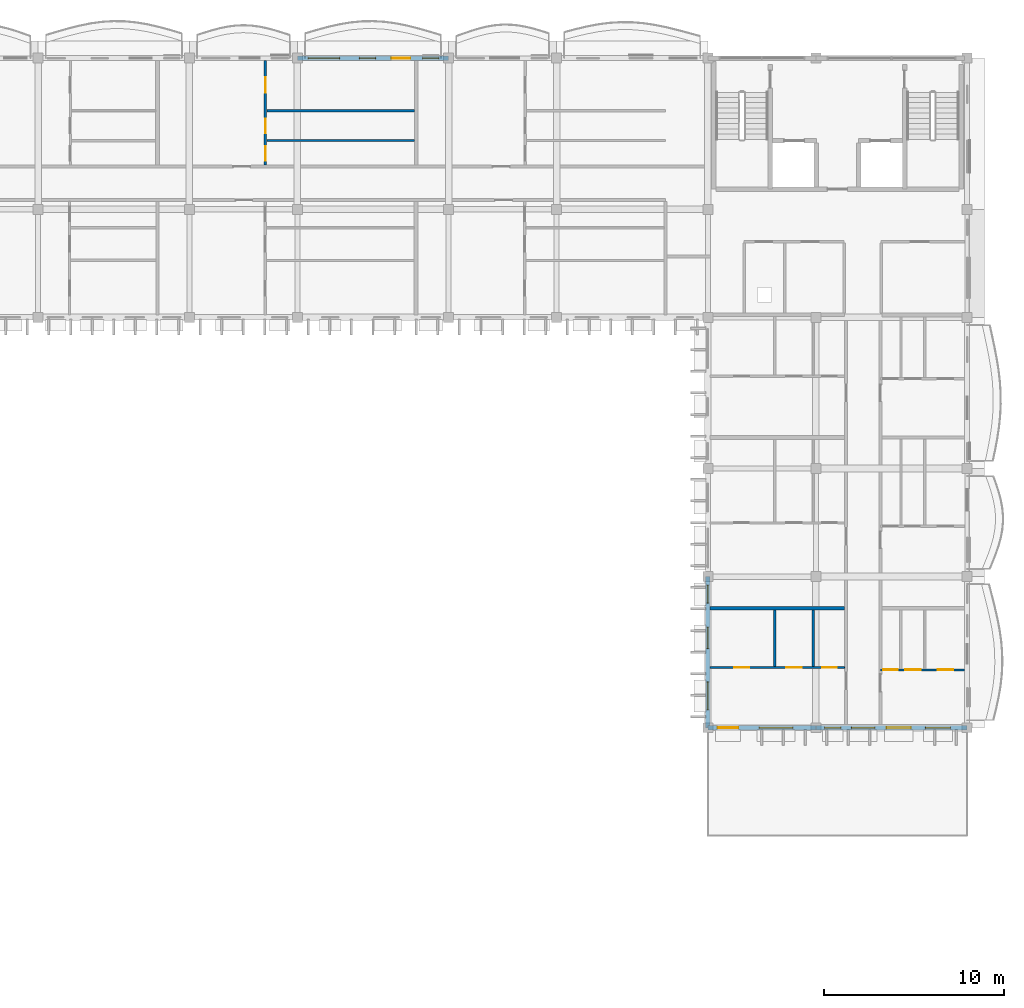
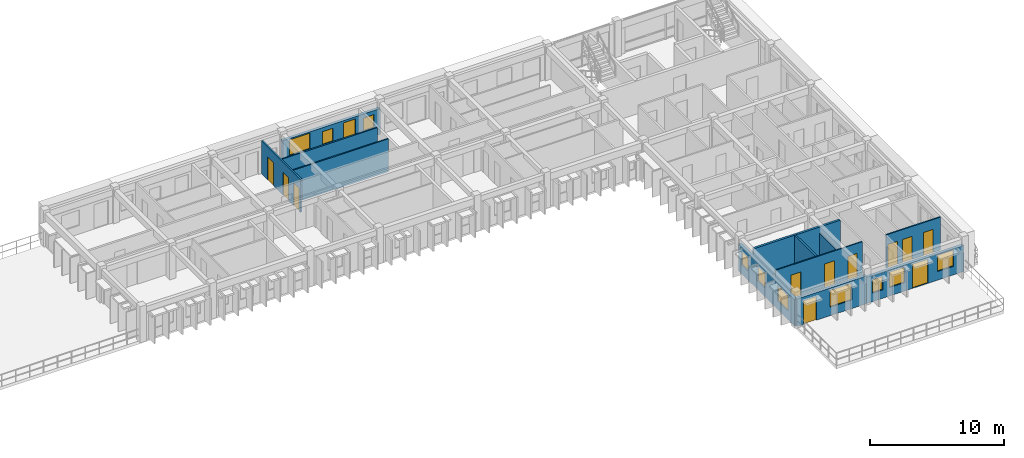
# One storey, part 23 of 45: 12 doors, 12 walls, 10 windows, 22 openings.
"""IFC4 building model written with IfcOpenShell, lengths in metres."""

from ifc_helpers import new_model, si_unit, direction, frame, frame_2d, origin, place, context, subcontext, project, spatial, rectangle, extrude, material, layer, layer_set, type_object, element, fill, save


model = new_model("IFC4")

# Units and contexts
model_context = context("Model", 3, precision=1e-05, world=origin(), true_north=direction((0.0, 1.0)))
body_context = subcontext(model_context, "Body", "Model", "MODEL_VIEW")
ifc_project = project(units=[si_unit("LENGTHUNIT", "METRE"), si_unit("AREAUNIT", "SQUARE_METRE"), si_unit("VOLUMEUNIT", "CUBIC_METRE"), si_unit("PLANEANGLEUNIT", "RADIAN"), si_unit("MASSUNIT", "GRAM", prefix="KILO"), si_unit("THERMODYNAMICTEMPERATUREUNIT", "KELVIN")], contexts=[model_context])

# Site, building, storey
site_placement = place(None, origin())
site = spatial("IfcSite", under=ifc_project, at=site_placement, CompositionType="ELEMENT")
building_placement = place(site_placement, origin())
building = spatial("IfcBuilding", under=site, at=building_placement, Name="Thalorik Housing Commons", CompositionType="ELEMENT")
storey_placement = place(building_placement, frame((0.0, 0.0, 34.5)))
storey = spatial("IfcBuildingStorey", under=building, at=storey_placement, Name="L10", CompositionType="ELEMENT", Elevation=34.5)

# Wall, openings, door, windows
ifc_material_1 = material(Name="White precast concrete C40/50", Category="concrete")
ifc_layer_1 = layer(ifc_material_1, 0.2548828125, Name="White precast concrete C40/50", Category="concrete")
ifc_layer_set_1 = layer_set([ifc_layer_1], Name="White precast concrete C40/50")
wall_type_1 = type_object("IfcWallType", Name="ARC-WAL-EXT-255", PredefinedType="STANDARD", material=ifc_layer_set_1)
wall_1_placement = place(storey_placement, frame((138.0, 123.60009765625, 0.0), z_axis=(0.0, 0.0, 1.0), x_axis=(-1.0, 0.0, 0.0)))
wall_1 = element("IfcWall", 1, at=wall_1_placement, inside=storey, type_object=wall_type_1, Name="L10 Exterior Wall WAL-EXT-L10-B-0749", PredefinedType="STANDARD", context=body_context, shape_type="SweptSolid", body=[
    extrude(rectangle(XDim=8.39990234375, YDim=0.2548828125, at=frame_2d((4.199951171875, 0.0))), origin(), (0.0, 0.0, 1.0), 2.344970703125),
])
opening_1_placement = place(wall_1_placement, frame((2.1298828125, 0.0, 0.0)))
opening_1 = element("IfcOpeningElement", 2, at=opening_1_placement, cuts=wall_1, Name="Opening ED-0252", PredefinedType="OPENING", context=body_context, shape_type="SweptSolid", body=[
    extrude(rectangle(XDim=1.050048828125, YDim=2.14990234375, at=frame_2d((0.52490234375, 1.074951171875))), frame((0.0, 0.137451171875, 0.0), z_axis=(0.0, -1.0, 0.0), x_axis=(1.0, 0.0, 0.0)), (0.0, 0.0, 1.0), 0.27490234375),
])
opening_2_placement = place(wall_1_placement, frame((0.544921875, 0.0, 0.780029296875)))
opening_2 = element("IfcOpeningElement", 3, at=opening_2_placement, cuts=wall_1, Name="Opening W-01", PredefinedType="OPENING", context=body_context, shape_type="SweptSolid", body=[
    extrude(rectangle(XDim=0.89990234375, YDim=1.199951171875, at=frame_2d((0.449951171875, 0.60009765625))), frame((0.0, 0.137451171875, 0.0), z_axis=(0.0, -1.0, 0.0), x_axis=(1.0, 0.0, 0.0)), (0.0, 0.0, 1.0), 0.27490234375),
])
opening_3_placement = place(wall_1_placement, frame((4.06005859375, 0.0, 0.780029296875)))
opening_3 = element("IfcOpeningElement", 4, at=opening_3_placement, cuts=wall_1, Name="Opening W-01", PredefinedType="OPENING", context=body_context, shape_type="SweptSolid", body=[
    extrude(rectangle(XDim=0.89990234375, YDim=1.199951171875, at=frame_2d((0.449951171875, 0.60009765625))), frame((0.0, 0.137451171875, 0.0), z_axis=(0.0, -1.0, 0.0), x_axis=(1.0, 0.0, 0.0)), (0.0, 0.0, 1.0), 0.27490234375),
])
opening_4_placement = place(wall_1_placement, frame((6.054931640625, 0.0, 0.780029296875)))
opening_4 = element("IfcOpeningElement", 5, at=opening_4_placement, cuts=wall_1, Name="Opening W-17", PredefinedType="OPENING", context=body_context, shape_type="SweptSolid", body=[
    extrude(rectangle(XDim=1.75, YDim=1.449951171875, at=frame_2d((0.875, 0.72509765625))), frame((0.0, 0.137451171875, 0.0), z_axis=(0.0, -1.0, 0.0), x_axis=(1.0, 0.0, 0.0)), (0.0, 0.0, 1.0), 0.27490234375),
])
ifc_material_2 = material(Name="Anodised aluminium and laminated safety glass", Category="aluminium")
door_type_1 = type_object("IfcDoorType", Name="ARC-DR-BAL-1050", OperationType="NOTDEFINED", PredefinedType="DOOR", material=ifc_material_2)
door_1_placement = place(opening_1_placement, frame((1.050048828125, 0.0, 0.0), z_axis=(0.0, 0.0, 1.0), x_axis=(-1.0, 0.0, 0.0)))
door_1 = element("IfcDoor", 6, at=door_1_placement, inside=storey, type_object=door_type_1, Name="L10 Block B Balcony Glazed Door", OperationType="SINGLE_SWING_LEFT", OverallHeight=2.14990234375, OverallWidth=1.050048828125, PredefinedType="DOOR", context=body_context, shape_type="SweptSolid", body=[
    extrude(rectangle(XDim=1.050048828125, YDim=2.14990234375, at=frame_2d((0.52490234375, 1.074951171875))), frame((0.0, 0.02490234375, 0.0), z_axis=(0.0, -1.0, 0.0), x_axis=(1.0, 0.0, 0.0)), (0.0, 0.0, 1.0), 0.050048828125),
])
fill(opening_1, door_1)
ifc_material_3 = material(Name="Anodised aluminium and solar-control low-E glass", Category="aluminium")
window_type_1 = type_object("IfcWindowType", Name="ARC-WIN-01", PartitioningType="SINGLE_PANEL", PredefinedType="WINDOW", material=ifc_material_3)
window_1_placement = place(opening_2_placement, origin())
window_1 = element("IfcWindow", 7, at=window_1_placement, inside=storey, type_object=window_type_1, Name="L10 Facade Window 1373", OverallHeight=1.199951171875, OverallWidth=0.89990234375, PartitioningType="SINGLE_PANEL", PredefinedType="WINDOW", context=body_context, shape_type="SweptSolid", body=[
    extrude(rectangle(XDim=0.89990234375, YDim=1.199951171875, at=frame_2d((0.449951171875, 0.60009765625))), frame((0.0, 0.030029296875, 0.0), z_axis=(0.0, -1.0, 0.0), x_axis=(1.0, 0.0, 0.0)), (0.0, 0.0, 1.0), 0.06005859375),
])
fill(opening_2, window_1)
window_2_placement = place(opening_3_placement, origin())
window_2 = element("IfcWindow", 8, at=window_2_placement, inside=storey, type_object=window_type_1, Name="L10 Facade Window 1374", OverallHeight=1.199951171875, OverallWidth=0.89990234375, PartitioningType="SINGLE_PANEL", PredefinedType="WINDOW", context=body_context, shape_type="SweptSolid", body=[
    extrude(rectangle(XDim=0.89990234375, YDim=1.199951171875, at=frame_2d((0.449951171875, 0.60009765625))), frame((0.0, 0.030029296875, 0.0), z_axis=(0.0, -1.0, 0.0), x_axis=(1.0, 0.0, 0.0)), (0.0, 0.0, 1.0), 0.06005859375),
])
fill(opening_3, window_2)
window_type_2 = type_object("IfcWindowType", Name="ARC-WIN-17", PartitioningType="DOUBLE_PANEL_VERTICAL", PredefinedType="WINDOW", material=ifc_material_3)
window_3_placement = place(opening_4_placement, origin())
window_3 = element("IfcWindow", 9, at=window_3_placement, inside=storey, type_object=window_type_2, Name="L10 Facade Window 1375", OverallHeight=1.449951171875, OverallWidth=1.75, PartitioningType="DOUBLE_PANEL_VERTICAL", PredefinedType="WINDOW", context=body_context, shape_type="SweptSolid", body=[
    extrude(rectangle(XDim=1.75, YDim=1.449951171875, at=frame_2d((0.875, 0.72509765625))), frame((0.0, 0.030029296875, 0.0), z_axis=(0.0, -1.0, 0.0), x_axis=(1.0, 0.0, 0.0)), (0.0, 0.0, 1.0), 0.06005859375),
])
fill(opening_4, window_3)

# Wall, openings, windows
wall_2_placement = place(storey_placement, frame((152.39990234375, 94.800048828125, 0.0), z_axis=(0.0, 0.0, 1.0), x_axis=(0.0, -1.0, 0.0)))
wall_2 = element("IfcWall", 10, at=wall_2_placement, inside=storey, type_object=wall_type_1, Name="L10 Exterior Wall WAL-EXT-L10-B-0763", PredefinedType="STANDARD", context=body_context, shape_type="SweptSolid", body=[
    extrude(rectangle(XDim=8.400146484375, YDim=0.2548828125, at=frame_2d((4.2001953125, 0.0))), origin(), (0.0, 0.0, 1.0), 2.425048828125),
])
opening_5_placement = place(wall_2_placement, frame((0.47509765625, 0.0, 0.780029296875)))
opening_5 = element("IfcOpeningElement", 11, at=opening_5_placement, cuts=wall_2, Name="Opening W-02", PredefinedType="OPENING", context=body_context, shape_type="SweptSolid", body=[
    extrude(rectangle(XDim=1.0, YDim=1.25, at=frame_2d((0.5, 0.625))), frame((0.0, 0.137451171875, 0.0), z_axis=(0.0, -1.0, 0.0), x_axis=(1.0, 0.0, 0.0)), (0.0, 0.0, 1.0), 0.27490234375),
])
opening_6_placement = place(wall_2_placement, frame((2.804931640625, 0.0, 0.780029296875)))
opening_6 = element("IfcOpeningElement", 12, at=opening_6_placement, cuts=wall_2, Name="Opening W-04", PredefinedType="OPENING", context=body_context, shape_type="SweptSolid", body=[
    extrude(rectangle(XDim=1.199951171875, YDim=1.35009765625, at=frame_2d((0.60009765625, 0.675048828125))), frame((0.0, 0.137451171875, 0.0), z_axis=(0.0, -1.0, 0.0), x_axis=(1.0, 0.0, 0.0)), (0.0, 0.0, 1.0), 0.27490234375),
])
opening_7_placement = place(wall_2_placement, frame((5.85498046875, 0.0, 0.780029296875)))
opening_7 = element("IfcOpeningElement", 13, at=opening_7_placement, cuts=wall_2, Name="Opening W-12", PredefinedType="OPENING", context=body_context, shape_type="SweptSolid", body=[
    extrude(rectangle(XDim=1.550048828125, YDim=1.39990234375, at=frame_2d((0.77490234375, 0.699951171875))), frame((0.0, 0.137451171875, 0.0), z_axis=(0.0, -1.0, 0.0), x_axis=(1.0, 0.0, 0.0)), (0.0, 0.0, 1.0), 0.27490234375),
])
window_type_3 = type_object("IfcWindowType", Name="ARC-WIN-02", PartitioningType="SINGLE_PANEL", PredefinedType="WINDOW", material=ifc_material_3)
window_4_placement = place(opening_5_placement, origin())
window_4 = element("IfcWindow", 14, at=window_4_placement, inside=storey, type_object=window_type_3, Name="L10 Facade Window 1406", OverallHeight=1.25, OverallWidth=1.0, PartitioningType="SINGLE_PANEL", PredefinedType="WINDOW", context=body_context, shape_type="SweptSolid", body=[
    extrude(rectangle(XDim=1.0, YDim=1.25, at=frame_2d((0.5, 0.625))), frame((0.0, 0.030029296875, 0.0), z_axis=(0.0, -1.0, 0.0), x_axis=(1.0, 0.0, 0.0)), (0.0, 0.0, 1.0), 0.06005859375),
])
fill(opening_5, window_4)
window_type_4 = type_object("IfcWindowType", Name="ARC-WIN-04", PartitioningType="SINGLE_PANEL", PredefinedType="WINDOW", material=ifc_material_3)
window_5_placement = place(opening_6_placement, origin())
window_5 = element("IfcWindow", 15, at=window_5_placement, inside=storey, type_object=window_type_4, Name="L10 Facade Window 1407", OverallHeight=1.35009765625, OverallWidth=1.199951171875, PartitioningType="SINGLE_PANEL", PredefinedType="WINDOW", context=body_context, shape_type="SweptSolid", body=[
    extrude(rectangle(XDim=1.199951171875, YDim=1.35009765625, at=frame_2d((0.60009765625, 0.675048828125))), frame((0.0, 0.030029296875, 0.0), z_axis=(0.0, -1.0, 0.0), x_axis=(1.0, 0.0, 0.0)), (0.0, 0.0, 1.0), 0.06005859375),
])
fill(opening_6, window_5)
window_type_5 = type_object("IfcWindowType", Name="ARC-WIN-12", PartitioningType="SINGLE_PANEL", PredefinedType="WINDOW", material=ifc_material_3)
window_6_placement = place(opening_7_placement, origin())
window_6 = element("IfcWindow", 16, at=window_6_placement, inside=storey, type_object=window_type_5, Name="L10 Facade Window 1408", OverallHeight=1.39990234375, OverallWidth=1.550048828125, PartitioningType="SINGLE_PANEL", PredefinedType="WINDOW", context=body_context, shape_type="SweptSolid", body=[
    extrude(rectangle(XDim=1.550048828125, YDim=1.39990234375, at=frame_2d((0.77490234375, 0.699951171875))), frame((0.0, 0.030029296875, 0.0), z_axis=(0.0, -1.0, 0.0), x_axis=(1.0, 0.0, 0.0)), (0.0, 0.0, 1.0), 0.06005859375),
])
fill(opening_7, window_6)

# Wall, openings, door, window
wall_3_placement = place(storey_placement, frame((152.39990234375, 86.39990234375, 0.0), z_axis=(0.0, 0.0, 1.0), x_axis=(1.0, 0.0, 0.0)))
wall_3 = element("IfcWall", 17, at=wall_3_placement, inside=storey, type_object=wall_type_1, Name="L10 Exterior Wall WAL-EXT-L10-B-0764", PredefinedType="STANDARD", context=body_context, shape_type="SweptSolid", body=[
    extrude(rectangle(XDim=6.0, YDim=0.2548828125, at=frame_2d((3.0, 0.0))), origin(), (0.0, 0.0, 1.0), 2.52490234375),
])
opening_8_placement = place(wall_3_placement, frame((0.5400390625, 0.0, 0.0)))
opening_8 = element("IfcOpeningElement", 18, at=opening_8_placement, cuts=wall_3, Name="Opening ED-0258", PredefinedType="OPENING", context=body_context, shape_type="SweptSolid", body=[
    extrude(rectangle(XDim=1.14990234375, YDim=2.14990234375, at=frame_2d((0.574951171875, 1.074951171875))), frame((0.0, 0.137451171875, 0.0), z_axis=(0.0, -1.0, 0.0), x_axis=(1.0, 0.0, 0.0)), (0.0, 0.0, 1.0), 0.27490234375),
])
opening_9_placement = place(wall_3_placement, frame((2.844970703125, 0.0, 0.780029296875)))
opening_9 = element("IfcOpeningElement", 19, at=opening_9_placement, cuts=wall_3, Name="Opening W-59", PredefinedType="OPENING", context=body_context, shape_type="SweptSolid", body=[
    extrude(rectangle(XDim=1.8798828125, YDim=1.52001953125, at=frame_2d((0.93994140625, 0.760009765625))), frame((0.0, 0.137451171875, 0.0), z_axis=(0.0, -1.0, 0.0), x_axis=(1.0, 0.0, 0.0)), (0.0, 0.0, 1.0), 0.27490234375),
])
door_type_2 = type_object("IfcDoorType", Name="ARC-DR-TERR-1150", OperationType="NOTDEFINED", PredefinedType="DOOR", material=ifc_material_2)
door_2_placement = place(opening_8_placement, frame((1.14990234375, 0.0, 0.0), z_axis=(0.0, 0.0, 1.0), x_axis=(-1.0, 0.0, 0.0)))
door_2 = element("IfcDoor", 20, at=door_2_placement, inside=storey, type_object=door_type_2, Name="L10 Block B L10 South Roof Terrace Access Door", OperationType="SINGLE_SWING_LEFT", OverallHeight=2.14990234375, OverallWidth=1.14990234375, PredefinedType="DOOR", context=body_context, shape_type="SweptSolid", body=[
    extrude(rectangle(XDim=1.14990234375, YDim=2.14990234375, at=frame_2d((0.574951171875, 1.074951171875))), frame((0.0, 0.02490234375, 0.0), z_axis=(0.0, -1.0, 0.0), x_axis=(1.0, 0.0, 0.0)), (0.0, 0.0, 1.0), 0.050048828125),
])
fill(opening_8, door_2)
window_type_6 = type_object("IfcWindowType", Name="ARC-WIN-59", PartitioningType="DOUBLE_PANEL_VERTICAL", PredefinedType="WINDOW", material=ifc_material_3)
window_7_placement = place(opening_9_placement, origin())
window_7 = element("IfcWindow", 21, at=window_7_placement, inside=storey, type_object=window_type_6, Name="L10 Facade Window 1409", OverallHeight=1.52001953125, OverallWidth=1.8798828125, PartitioningType="DOUBLE_PANEL_VERTICAL", PredefinedType="WINDOW", context=body_context, shape_type="SweptSolid", body=[
    extrude(rectangle(XDim=1.8798828125, YDim=1.52001953125, at=frame_2d((0.93994140625, 0.760009765625))), frame((0.0, 0.030029296875, 0.0), z_axis=(0.0, -1.0, 0.0), x_axis=(1.0, 0.0, 0.0)), (0.0, 0.0, 1.0), 0.06005859375),
])
fill(opening_9, window_7)

# Wall, openings, door, windows
wall_4_placement = place(storey_placement, frame((158.39990234375, 86.39990234375, 0.0), z_axis=(0.0, 0.0, 1.0), x_axis=(1.0, 0.0, 0.0)))
wall_4 = element("IfcWall", 22, at=wall_4_placement, inside=storey, type_object=wall_type_1, Name="L10 Exterior Wall WAL-EXT-L10-B-0765", PredefinedType="STANDARD", context=body_context, shape_type="SweptSolid", body=[
    extrude(rectangle(XDim=8.400146484375, YDim=0.2548828125, at=frame_2d((4.2001953125, 0.0))), origin(), (0.0, 0.0, 1.0), 2.375),
])
opening_10_placement = place(wall_4_placement, frame((3.929931640625, 0.0, 0.0)))
opening_10 = element("IfcOpeningElement", 23, at=opening_10_placement, cuts=wall_4, Name="Opening ED-0259", PredefinedType="OPENING", context=body_context, shape_type="SweptSolid", body=[
    extrude(rectangle(XDim=1.35009765625, YDim=2.199951171875, at=frame_2d((0.675048828125, 1.10009765625))), frame((0.0, 0.137451171875, 0.0), z_axis=(0.0, -1.0, 0.0), x_axis=(1.0, 0.0, 0.0)), (0.0, 0.0, 1.0), 0.27490234375),
])
opening_11_placement = place(wall_4_placement, frame((6.090087890625, 0.0, 0.780029296875)))
opening_11 = element("IfcOpeningElement", 24, at=opening_11_placement, cuts=wall_4, Name="Opening W-49", PredefinedType="OPENING", context=body_context, shape_type="SweptSolid", body=[
    extrude(rectangle(XDim=1.3798828125, YDim=1.47998046875, at=frame_2d((0.68994140625, 0.739990234375))), frame((0.0, 0.137451171875, 0.0), z_axis=(0.0, -1.0, 0.0), x_axis=(1.0, 0.0, 0.0)), (0.0, 0.0, 1.0), 0.27490234375),
])
opening_12_placement = place(wall_4_placement, frame((0.485107421875, 0.0, 0.780029296875)))
opening_12 = element("IfcOpeningElement", 25, at=opening_12_placement, cuts=wall_4, Name="Opening W-01", PredefinedType="OPENING", context=body_context, shape_type="SweptSolid", body=[
    extrude(rectangle(XDim=0.89990234375, YDim=1.199951171875, at=frame_2d((0.449951171875, 0.60009765625))), frame((0.0, 0.137451171875, 0.0), z_axis=(0.0, -1.0, 0.0), x_axis=(1.0, 0.0, 0.0)), (0.0, 0.0, 1.0), 0.27490234375),
])
opening_13_placement = place(wall_4_placement, frame((1.97998046875, 0.0, 0.780029296875)))
opening_13 = element("IfcOpeningElement", 26, at=opening_13_placement, cuts=wall_4, Name="Opening W-06", PredefinedType="OPENING", context=body_context, shape_type="SweptSolid", body=[
    extrude(rectangle(XDim=1.300048828125, YDim=1.39990234375, at=frame_2d((0.64990234375, 0.699951171875))), frame((0.0, 0.137451171875, 0.0), z_axis=(0.0, -1.0, 0.0), x_axis=(1.0, 0.0, 0.0)), (0.0, 0.0, 1.0), 0.27490234375),
])
door_type_3 = type_object("IfcDoorType", Name="ARC-DR-TERR-1350", OperationType="NOTDEFINED", PredefinedType="DOOR", material=ifc_material_2)
door_3_placement = place(opening_10_placement, frame((1.35009765625, 0.0, 0.0), z_axis=(0.0, 0.0, 1.0), x_axis=(-1.0, 0.0, 0.0)))
door_3 = element("IfcDoor", 27, at=door_3_placement, inside=storey, type_object=door_type_3, Name="L10 Block B L10 South Roof Terrace Access Door", OperationType="SINGLE_SWING_RIGHT", OverallHeight=2.199951171875, OverallWidth=1.35009765625, PredefinedType="DOOR", context=body_context, shape_type="SweptSolid", body=[
    extrude(rectangle(XDim=1.35009765625, YDim=2.199951171875, at=frame_2d((0.675048828125, 1.10009765625))), frame((0.0, 0.02490234375, 0.0), z_axis=(0.0, -1.0, 0.0), x_axis=(1.0, 0.0, 0.0)), (0.0, 0.0, 1.0), 0.050048828125),
])
fill(opening_10, door_3)
window_8_placement = place(opening_12_placement, origin())
window_8 = element("IfcWindow", 28, at=window_8_placement, inside=storey, type_object=window_type_1, Name="L10 Facade Window 1411", OverallHeight=1.199951171875, OverallWidth=0.89990234375, PartitioningType="SINGLE_PANEL", PredefinedType="WINDOW", context=body_context, shape_type="SweptSolid", body=[
    extrude(rectangle(XDim=0.89990234375, YDim=1.199951171875, at=frame_2d((0.449951171875, 0.60009765625))), frame((0.0, 0.030029296875, 0.0), z_axis=(0.0, -1.0, 0.0), x_axis=(1.0, 0.0, 0.0)), (0.0, 0.0, 1.0), 0.06005859375),
])
fill(opening_12, window_8)
window_type_7 = type_object("IfcWindowType", Name="ARC-WIN-06", PartitioningType="SINGLE_PANEL", PredefinedType="WINDOW", material=ifc_material_3)
window_9_placement = place(opening_13_placement, origin())
window_9 = element("IfcWindow", 29, at=window_9_placement, inside=storey, type_object=window_type_7, Name="L10 Facade Window 1412", OverallHeight=1.39990234375, OverallWidth=1.300048828125, PartitioningType="SINGLE_PANEL", PredefinedType="WINDOW", context=body_context, shape_type="SweptSolid", body=[
    extrude(rectangle(XDim=1.300048828125, YDim=1.39990234375, at=frame_2d((0.64990234375, 0.699951171875))), frame((0.0, 0.030029296875, 0.0), z_axis=(0.0, -1.0, 0.0), x_axis=(1.0, 0.0, 0.0)), (0.0, 0.0, 1.0), 0.06005859375),
])
fill(opening_13, window_9)
window_type_8 = type_object("IfcWindowType", Name="ARC-WIN-49", PartitioningType="SINGLE_PANEL", PredefinedType="WINDOW", material=ifc_material_3)
window_10_placement = place(opening_11_placement, origin())
window_10 = element("IfcWindow", 30, at=window_10_placement, inside=storey, type_object=window_type_8, Name="L10 Facade Window 1410", OverallHeight=1.47998046875, OverallWidth=1.3798828125, PartitioningType="SINGLE_PANEL", PredefinedType="WINDOW", context=body_context, shape_type="SweptSolid", body=[
    extrude(rectangle(XDim=1.3798828125, YDim=1.47998046875, at=frame_2d((0.68994140625, 0.739990234375))), frame((0.0, 0.030029296875, 0.0), z_axis=(0.0, -1.0, 0.0), x_axis=(1.0, 0.0, 0.0)), (0.0, 0.0, 1.0), 0.06005859375),
])
fill(opening_11, window_10)

# Wall, openings, doors
ifc_material_4 = material(Name="Gypsum light stud partition", Category="masonry")
ifc_layer_2 = layer(ifc_material_4, 0.10009765625, Name="Gypsum light stud partition", Category="masonry")
ifc_layer_set_2 = layer_set([ifc_layer_2], Name="Gypsum light stud partition")
wall_type_2 = type_object("IfcWallType", Name="ARC-WAL-PART-100", PredefinedType="PARTITIONING", material=ifc_layer_set_2)
wall_5_placement = place(storey_placement, frame((152.529541015625, 89.75, 0.0), z_axis=(0.0, 0.0, 1.0), x_axis=(1.0, 0.0, 0.0)))
wall_5 = element("IfcWall", 31, at=wall_5_placement, inside=storey, type_object=wall_type_2, Name="L10 Unit 1 Spine Partition", PredefinedType="PARTITIONING", context=body_context, shape_type="SweptSolid", body=[
    extrude(rectangle(XDim=7.473388671875, YDim=0.10009765625, at=frame_2d((3.73681640625, 0.0))), origin(), (0.0, 0.0, 1.0), 3.0),
])
opening_14_placement = place(wall_5_placement, frame((1.334228515625, 0.0, 0.0)))
opening_14 = element("IfcOpeningElement", 32, at=opening_14_placement, cuts=wall_5, Name="Opening ID-1454", PredefinedType="OPENING", context=body_context, shape_type="SweptSolid", body=[
    extrude(rectangle(XDim=0.85009765625, YDim=2.10009765625, at=frame_2d((0.425048828125, 1.050048828125))), frame((0.0, 0.06005859375, 0.0), z_axis=(0.0, -1.0, 0.0), x_axis=(1.0, 0.0, 0.0)), (0.0, 0.0, 1.0), 0.1201171875),
])
opening_15_placement = place(wall_5_placement, frame((4.22998046875, 0.0, 0.0)))
opening_15 = element("IfcOpeningElement", 33, at=opening_15_placement, cuts=wall_5, Name="Opening ID-1455", PredefinedType="OPENING", context=body_context, shape_type="SweptSolid", body=[
    extrude(rectangle(XDim=0.85009765625, YDim=2.10009765625, at=frame_2d((0.425048828125, 1.050048828125))), frame((0.0, 0.06005859375, 0.0), z_axis=(0.0, -1.0, 0.0), x_axis=(1.0, 0.0, 0.0)), (0.0, 0.0, 1.0), 0.1201171875),
])
opening_16_placement = place(wall_5_placement, frame((6.236083984375, 0.0, 0.0)))
opening_16 = element("IfcOpeningElement", 34, at=opening_16_placement, cuts=wall_5, Name="Opening ID-1456", PredefinedType="OPENING", context=body_context, shape_type="SweptSolid", body=[
    extrude(rectangle(XDim=0.800048828125, YDim=2.10009765625, at=frame_2d((0.39990234375, 1.050048828125))), frame((0.0, 0.06005859375, 0.0), z_axis=(0.0, -1.0, 0.0), x_axis=(1.0, 0.0, 0.0)), (0.0, 0.0, 1.0), 0.1201171875),
])
ifc_material_5 = material(Name="Moisture-resistant timber", Category="wood")
door_type_4 = type_object("IfcDoorType", Name="ARC-DR-INT-800", OperationType="NOTDEFINED", PredefinedType="DOOR", material=ifc_material_5)
door_4_placement = place(opening_16_placement, origin())
door_4 = element("IfcDoor", 35, at=door_4_placement, inside=storey, type_object=door_type_4, Name="L10 Accessible Bathroom Door", OperationType="SINGLE_SWING_LEFT", OverallHeight=2.10009765625, OverallWidth=0.800048828125, PredefinedType="DOOR", context=body_context, shape_type="SweptSolid", body=[
    extrude(rectangle(XDim=0.800048828125, YDim=2.10009765625, at=frame_2d((0.39990234375, 1.050048828125))), frame((0.0, 0.02490234375, 0.0), z_axis=(0.0, -1.0, 0.0), x_axis=(1.0, 0.0, 0.0)), (0.0, 0.0, 1.0), 0.050048828125),
])
fill(opening_16, door_4)
ifc_material_6 = material(Name="Engineered oak timber", Category="wood")
door_type_5 = type_object("IfcDoorType", Name="ARC-DR-INT-850", OperationType="NOTDEFINED", PredefinedType="DOOR", material=ifc_material_6)
door_5_placement = place(opening_14_placement, origin())
door_5 = element("IfcDoor", 36, at=door_5_placement, inside=storey, type_object=door_type_5, Name="L10 Double Bedroom Door", OperationType="SINGLE_SWING_LEFT", OverallHeight=2.10009765625, OverallWidth=0.85009765625, PredefinedType="DOOR", context=body_context, shape_type="SweptSolid", body=[
    extrude(rectangle(XDim=0.85009765625, YDim=2.10009765625, at=frame_2d((0.425048828125, 1.050048828125))), frame((0.0, 0.02490234375, 0.0), z_axis=(0.0, -1.0, 0.0), x_axis=(1.0, 0.0, 0.0)), (0.0, 0.0, 1.0), 0.050048828125),
])
fill(opening_14, door_5)
door_6_placement = place(opening_15_placement, origin())
door_6 = element("IfcDoor", 37, at=door_6_placement, inside=storey, type_object=door_type_5, Name="L10 Eat-In Kitchen Door", OperationType="SINGLE_SWING_RIGHT", OverallHeight=2.10009765625, OverallWidth=0.85009765625, PredefinedType="DOOR", context=body_context, shape_type="SweptSolid", body=[
    extrude(rectangle(XDim=0.85009765625, YDim=2.10009765625, at=frame_2d((0.425048828125, 1.050048828125))), frame((0.0, 0.02490234375, 0.0), z_axis=(0.0, -1.0, 0.0), x_axis=(1.0, 0.0, 0.0)), (0.0, 0.0, 1.0), 0.050048828125),
])
fill(opening_15, door_6)

# Wall
ifc_material_7 = material(Name="Gypsum moisture-resistant partition", Category="masonry")
ifc_layer_3 = layer(ifc_material_7, 0.114990234375, Name="Gypsum moisture-resistant partition", Category="masonry")
ifc_layer_set_3 = layer_set([ifc_layer_3], Name="Gypsum moisture-resistant partition")
wall_type_3 = type_object("IfcWallType", Name="ARC-WAL-PART-115", PredefinedType="PARTITIONING", material=ifc_layer_set_3)
wall_6_placement = place(storey_placement, frame((127.899658203125, 119.010498046875, 0.0), z_axis=(0.0, 0.0, 1.0), x_axis=(1.0, 0.0, 0.0)))
element("IfcWall", 38, at=wall_6_placement, inside=storey, type_object=wall_type_3, Name="L10 Unit 2B Wet Wall", PredefinedType="PARTITIONING", context=body_context, shape_type="SweptSolid", body=[
    extrude(rectangle(XDim=8.205810546875, YDim=0.114990234375, at=frame_2d((4.10302734375, 0.0))), origin(), (0.0, 0.0, 1.0), 3.0),
])

# Wall, openings, doors
wall_7_placement = place(storey_placement, frame((161.97998046875, 89.618408203125, 0.0), z_axis=(0.0, 0.0, 1.0), x_axis=(1.0, 0.0, 0.0)))
wall_7 = element("IfcWall", 39, at=wall_7_placement, inside=storey, type_object=wall_type_3, Name="L10 Unit 1B Spine Partition", PredefinedType="PARTITIONING", context=body_context, shape_type="SweptSolid", body=[
    extrude(rectangle(XDim=4.6904296875, YDim=0.114990234375, at=frame_2d((2.34521484375, 0.0))), origin(), (0.0, 0.0, 1.0), 3.0),
])
opening_17_placement = place(wall_7_placement, frame((0.171142578125, 0.0, 0.0)))
opening_17 = element("IfcOpeningElement", 40, at=opening_17_placement, cuts=wall_7, Name="Opening ID-1457", PredefinedType="OPENING", context=body_context, shape_type="SweptSolid", body=[
    extrude(rectangle(XDim=0.800048828125, YDim=2.10009765625, at=frame_2d((0.39990234375, 1.050048828125))), frame((0.0, 0.0673828125, 0.0), z_axis=(0.0, -1.0, 0.0), x_axis=(1.0, 0.0, 0.0)), (0.0, 0.0, 1.0), 0.135009765625),
])
opening_18_placement = place(wall_7_placement, frame((1.3837890625, 0.0, 0.0)))
opening_18 = element("IfcOpeningElement", 41, at=opening_18_placement, cuts=wall_7, Name="Opening ID-1458", PredefinedType="OPENING", context=body_context, shape_type="SweptSolid", body=[
    extrude(rectangle(XDim=0.85009765625, YDim=2.10009765625, at=frame_2d((0.425048828125, 1.050048828125))), frame((0.0, 0.0673828125, 0.0), z_axis=(0.0, -1.0, 0.0), x_axis=(1.0, 0.0, 0.0)), (0.0, 0.0, 1.0), 0.135009765625),
])
opening_19_placement = place(wall_7_placement, frame((3.192626953125, 0.0, 0.0)))
opening_19 = element("IfcOpeningElement", 42, at=opening_19_placement, cuts=wall_7, Name="Opening ID-1459", PredefinedType="OPENING", context=body_context, shape_type="SweptSolid", body=[
    extrude(rectangle(XDim=0.85009765625, YDim=2.10009765625, at=frame_2d((0.425048828125, 1.050048828125))), frame((0.0, 0.0673828125, 0.0), z_axis=(0.0, -1.0, 0.0), x_axis=(1.0, 0.0, 0.0)), (0.0, 0.0, 1.0), 0.135009765625),
])
door_7_placement = place(opening_17_placement, origin())
door_7 = element("IfcDoor", 43, at=door_7_placement, inside=storey, type_object=door_type_4, Name="L10 Flat Bathroom Door", OperationType="SINGLE_SWING_RIGHT", OverallHeight=2.10009765625, OverallWidth=0.800048828125, PredefinedType="DOOR", context=body_context, shape_type="SweptSolid", body=[
    extrude(rectangle(XDim=0.800048828125, YDim=2.10009765625, at=frame_2d((0.39990234375, 1.050048828125))), frame((0.0, 0.02490234375, 0.0), z_axis=(0.0, -1.0, 0.0), x_axis=(1.0, 0.0, 0.0)), (0.0, 0.0, 1.0), 0.050048828125),
])
fill(opening_17, door_7)
door_8_placement = place(opening_18_placement, origin())
door_8 = element("IfcDoor", 44, at=door_8_placement, inside=storey, type_object=door_type_5, Name="L10 Galley Kitchen Door", OperationType="SINGLE_SWING_LEFT", OverallHeight=2.10009765625, OverallWidth=0.85009765625, PredefinedType="DOOR", context=body_context, shape_type="SweptSolid", body=[
    extrude(rectangle(XDim=0.85009765625, YDim=2.10009765625, at=frame_2d((0.425048828125, 1.050048828125))), frame((0.0, 0.02490234375, 0.0), z_axis=(0.0, -1.0, 0.0), x_axis=(1.0, 0.0, 0.0)), (0.0, 0.0, 1.0), 0.050048828125),
])
fill(opening_18, door_8)
door_9_placement = place(opening_19_placement, origin())
door_9 = element("IfcDoor", 45, at=door_9_placement, inside=storey, type_object=door_type_5, Name="L10 Double Bedroom Door", OperationType="SINGLE_SWING_RIGHT", OverallHeight=2.10009765625, OverallWidth=0.85009765625, PredefinedType="DOOR", context=body_context, shape_type="SweptSolid", body=[
    extrude(rectangle(XDim=0.85009765625, YDim=2.10009765625, at=frame_2d((0.425048828125, 1.050048828125))), frame((0.0, 0.02490234375, 0.0), z_axis=(0.0, -1.0, 0.0), x_axis=(1.0, 0.0, 0.0)), (0.0, 0.0, 1.0), 0.050048828125),
])
fill(opening_19, door_9)

# Walls
ifc_material_8 = material(Name="Gypsum acoustic stud partition", Category="masonry")
ifc_layer_4 = layer(ifc_material_8, 0.125, Name="Gypsum acoustic stud partition", Category="masonry")
ifc_layer_set_4 = layer_set([ifc_layer_4], Name="Gypsum acoustic stud partition")
wall_type_4 = type_object("IfcWallType", Name="ARC-WAL-PART-125", PredefinedType="PARTITIONING", material=ifc_layer_set_4)
wall_8_placement = place(storey_placement, frame((127.899658203125, 120.67919921875, 0.0), z_axis=(0.0, 0.0, 1.0), x_axis=(1.0, 0.0, 0.0)))
element("IfcWall", 46, at=wall_8_placement, inside=storey, type_object=wall_type_4, Name="L10 Unit 2B Bedroom Partition", PredefinedType="PARTITIONING", context=body_context, shape_type="SweptSolid", body=[
    extrude(rectangle(XDim=8.205810546875, YDim=0.125, at=frame_2d((4.10302734375, 0.0))), origin(), (0.0, 0.0, 1.0), 3.0),
])
wall_9_placement = place(storey_placement, frame((158.251220703125, 89.802001953125, 0.0), z_axis=(0.0, 0.0, 1.0), x_axis=(0.0, 1.0, 0.0)))
element("IfcWall", 47, at=wall_9_placement, inside=storey, type_object=wall_type_4, Name="L10 Unit 1 Wet Wall", PredefinedType="PARTITIONING", context=body_context, shape_type="SweptSolid", body=[
    extrude(rectangle(XDim=3.1435546875, YDim=0.125, at=frame_2d((1.57177734375, 0.0))), origin(), (0.0, 0.0, 1.0), 2.425048828125),
])

# Wall, openings, doors
ifc_material_9 = material(Name="Ceramic masonry partition wall", Category="masonry")
ifc_layer_5 = layer(ifc_material_9, 0.139892578125, Name="Ceramic masonry partition wall", Category="masonry")
ifc_layer_set_5 = layer_set([ifc_layer_5], Name="Ceramic masonry partition wall")
wall_type_5 = type_object("IfcWallType", Name="ARC-WAL-PART-140", PredefinedType="PARTITIONING", material=ifc_layer_set_5)
wall_10_placement = place(storey_placement, frame((127.82763671875, 117.66455078125, 0.0), z_axis=(0.0, 0.0, 1.0), x_axis=(0.0, 1.0, 0.0)))
wall_10 = element("IfcWall", 48, at=wall_10_placement, inside=storey, type_object=wall_type_5, Name="L10 Unit 2B Spine Partition", PredefinedType="PARTITIONING", context=body_context, shape_type="SweptSolid", body=[
    extrude(rectangle(XDim=5.805908203125, YDim=0.139892578125, at=frame_2d((2.90283203125, 0.0))), origin(), (0.0, 0.0, 1.0), 3.0),
])
opening_20_placement = place(wall_10_placement, frame((0.230712890625, 0.0, 0.0)))
opening_20 = element("IfcOpeningElement", 49, at=opening_20_placement, cuts=wall_10, Name="Opening ID-1439", PredefinedType="OPENING", context=body_context, shape_type="SweptSolid", body=[
    extrude(rectangle(XDim=0.800048828125, YDim=2.10009765625, at=frame_2d((0.39990234375, 1.050048828125))), frame((0.0, 0.080078125, 0.0), z_axis=(0.0, -1.0, 0.0), x_axis=(1.0, 0.0, 0.0)), (0.0, 0.0, 1.0), 0.159912109375),
])
opening_21_placement = place(wall_10_placement, frame((1.75537109375, 0.0, 0.0)))
opening_21 = element("IfcOpeningElement", 50, at=opening_21_placement, cuts=wall_10, Name="Opening ID-1440", PredefinedType="OPENING", context=body_context, shape_type="SweptSolid", body=[
    extrude(rectangle(XDim=0.820068359375, YDim=2.080078125, at=frame_2d((0.41015625, 1.0400390625))), frame((0.0, 0.080078125, 0.0), z_axis=(0.0, -1.0, 0.0), x_axis=(1.0, 0.0, 0.0)), (0.0, 0.0, 1.0), 0.159912109375),
])
opening_22_placement = place(wall_10_placement, frame((4.02001953125, 0.0, 0.0)))
opening_22 = element("IfcOpeningElement", 51, at=opening_22_placement, cuts=wall_10, Name="Opening ID-1441", PredefinedType="OPENING", context=body_context, shape_type="SweptSolid", body=[
    extrude(rectangle(XDim=0.85009765625, YDim=2.10009765625, at=frame_2d((0.425048828125, 1.050048828125))), frame((0.0, 0.080078125, 0.0), z_axis=(0.0, -1.0, 0.0), x_axis=(1.0, 0.0, 0.0)), (0.0, 0.0, 1.0), 0.159912109375),
])
door_10_placement = place(opening_20_placement, origin())
door_10 = element("IfcDoor", 52, at=door_10_placement, inside=storey, type_object=door_type_4, Name="L10 Accessible Bathroom Door", OperationType="SINGLE_SWING_RIGHT", OverallHeight=2.10009765625, OverallWidth=0.800048828125, PredefinedType="DOOR", context=body_context, shape_type="SweptSolid", body=[
    extrude(rectangle(XDim=0.800048828125, YDim=2.10009765625, at=frame_2d((0.39990234375, 1.050048828125))), frame((0.0, 0.02490234375, 0.0), z_axis=(0.0, -1.0, 0.0), x_axis=(1.0, 0.0, 0.0)), (0.0, 0.0, 1.0), 0.050048828125),
])
fill(opening_20, door_10)
door_type_6 = type_object("IfcDoorType", Name="ARC-DR-INT-820", OperationType="NOTDEFINED", PredefinedType="DOOR", material=ifc_material_6)
door_11_placement = place(opening_21_placement, origin())
door_11 = element("IfcDoor", 53, at=door_11_placement, inside=storey, type_object=door_type_6, Name="L10 Eat-In Kitchen Door", OperationType="SINGLE_SWING_LEFT", OverallHeight=2.080078125, OverallWidth=0.820068359375, PredefinedType="DOOR", context=body_context, shape_type="SweptSolid", body=[
    extrude(rectangle(XDim=0.820068359375, YDim=2.080078125, at=frame_2d((0.41015625, 1.0400390625))), frame((0.0, 0.02490234375, 0.0), z_axis=(0.0, -1.0, 0.0), x_axis=(1.0, 0.0, 0.0)), (0.0, 0.0, 1.0), 0.050048828125),
])
fill(opening_21, door_11)
door_12_placement = place(opening_22_placement, origin())
door_12 = element("IfcDoor", 54, at=door_12_placement, inside=storey, type_object=door_type_5, Name="L10 Double Bedroom Door", OperationType="SINGLE_SWING_RIGHT", OverallHeight=2.10009765625, OverallWidth=0.85009765625, PredefinedType="DOOR", context=body_context, shape_type="SweptSolid", body=[
    extrude(rectangle(XDim=0.85009765625, YDim=2.10009765625, at=frame_2d((0.425048828125, 1.050048828125))), frame((0.0, 0.02490234375, 0.0), z_axis=(0.0, -1.0, 0.0), x_axis=(1.0, 0.0, 0.0)), (0.0, 0.0, 1.0), 0.050048828125),
])
fill(opening_22, door_12)

# Walls
wall_11_placement = place(storey_placement, frame((156.11767578125, 89.802001953125, 0.0), z_axis=(0.0, 0.0, 1.0), x_axis=(0.0, 1.0, 0.0)))
element("IfcWall", 55, at=wall_11_placement, inside=storey, type_object=wall_type_5, Name="L10 Unit 1 Bedroom Partition", PredefinedType="PARTITIONING", context=body_context, shape_type="SweptSolid", body=[
    extrude(rectangle(XDim=3.1435546875, YDim=0.139892578125, at=frame_2d((1.57177734375, 0.0))), origin(), (0.0, 0.0, 1.0), 3.0),
])
ifc_material_10 = material(Name="Masonry acoustic blockwork wall", Category="masonry")
ifc_layer_6 = layer(ifc_material_10, 0.18505859375, Name="Masonry acoustic blockwork wall", Category="masonry")
ifc_layer_set_6 = layer_set([ifc_layer_6], Name="Masonry acoustic blockwork wall")
wall_type_6 = type_object("IfcWallType", Name="ARC-WAL-PARTY-185", PredefinedType="PARTITIONING", material=ifc_layer_set_6)
wall_12_placement = place(storey_placement, frame((152.529541015625, 93.0400390625, 0.0), z_axis=(0.0, 0.0, 1.0), x_axis=(1.0, 0.0, 0.0)))
element("IfcWall", 56, at=wall_12_placement, inside=storey, type_object=wall_type_6, Name="L10 Inter-Tenancy Wall 1A", PredefinedType="PARTITIONING", context=body_context, shape_type="SweptSolid", body=[
    extrude(rectangle(XDim=7.473388671875, YDim=0.18505859375, at=frame_2d((3.73681640625, 0.0))), origin(), (0.0, 0.0, 1.0), 3.0),
])

save(model, "model.ifc")
